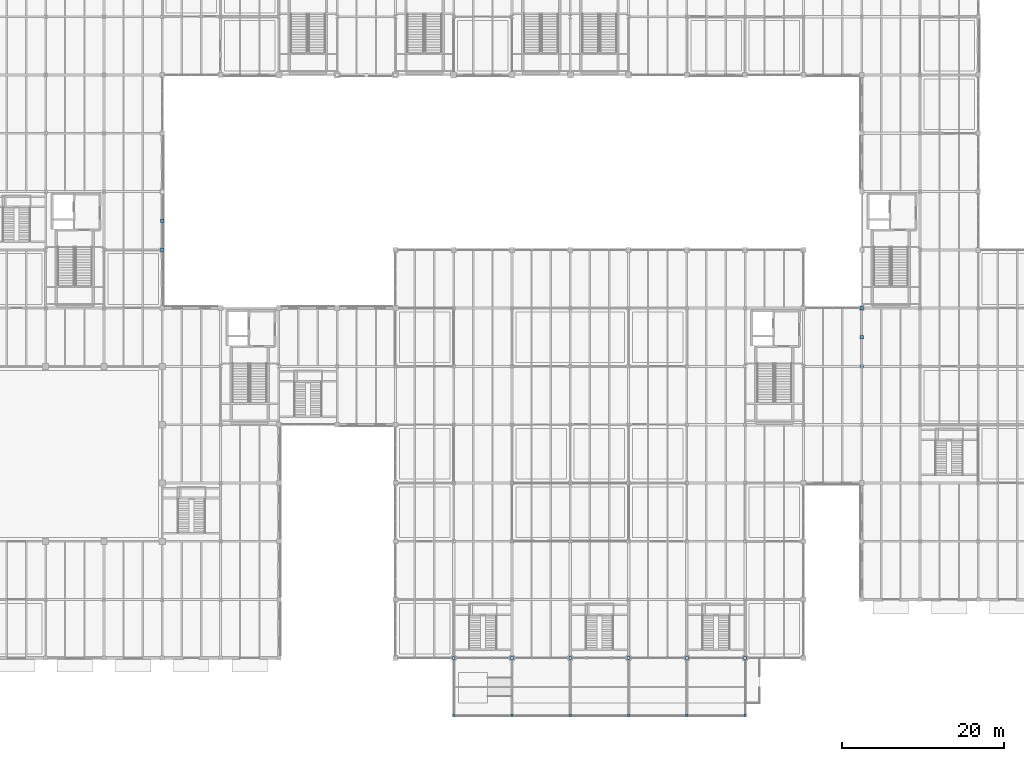
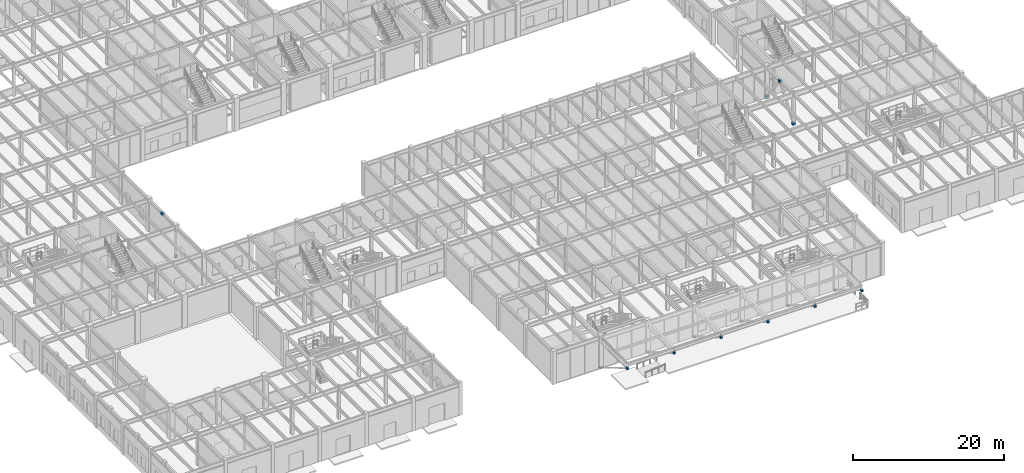
# One storey, part 31 of 97: 17 plates.
"""IFC4 building model written with IfcOpenShell, lengths in metres."""

from ifc_helpers import new_model, si_unit, direction, frame, origin, origin_2d, place, context, subcontext, project, spatial, rectangle, extrude, material, type_object, element, save


model = new_model("IFC4")

# Units and contexts
model_context = context("Model", 3, precision=1e-05, world=origin(), true_north=direction((0.0, 1.0)))
body_context = subcontext(model_context, "Body", "Model", "MODEL_VIEW")
ifc_project = project(units=[si_unit("LENGTHUNIT", "METRE"), si_unit("AREAUNIT", "SQUARE_METRE"), si_unit("VOLUMEUNIT", "CUBIC_METRE"), si_unit("PLANEANGLEUNIT", "RADIAN"), si_unit("MASSUNIT", "GRAM", prefix="KILO")], contexts=[model_context])

# Site, building, storey
site_placement = place(None, origin())
site = spatial("IfcSite", under=ifc_project, at=site_placement, CompositionType="ELEMENT")
building_placement = place(site_placement, origin())
building = spatial("IfcBuilding", under=site, at=building_placement, Name="Sillqori Civic Hall", CompositionType="ELEMENT")
storey_placement = place(building_placement, origin())
storey = spatial("IfcBuildingStorey", under=building, at=storey_placement, Name="L01", CompositionType="ELEMENT", Elevation=0.0)

# Plates
ifc_material_1 = material(Name="Steel ASTM A572 Grade 50", Category="steel")
plate_type_1 = type_object("IfcPlateType", Name="PLT-BASE-32", PredefinedType="SHEET", material=ifc_material_1)
for number, where, z_axis, x_axis, name in (
    (1, (72.0, 7.199951171875, 0.0), (0.0, 0.0, 1.0), (1.0, 0.0, 0.0), "Entrance canopy strut base plate 10"),
    (2, (79.199951171875, 7.199951171875, 0.0), (0.0, 0.0, 1.0), (1.0, 0.0, 0.0), "Entrance canopy strut base plate 11"),
    (3, (86.39990234375, 7.199951171875, 0.0), (0.0, 0.0, 1.0), (1.0, 0.0, 0.0), "Entrance canopy strut base plate 12"),
    (4, (93.60009765625, 7.199951171875, 0.0), (0.0, 0.0, 1.0), (1.0, 0.0, 0.0), "Entrance canopy strut base plate 13"),
    (5, (100.800048828125, 7.199951171875, 0.0), (0.0, 0.0, 1.0), (1.0, 0.0, 0.0), "Entrance canopy strut base plate 14"),
    (6, (108.0, 7.199951171875, 0.0), (0.0, 0.0, 1.0), (1.0, 0.0, 0.0), "Entrance canopy strut base plate 15"),
):
    element("IfcPlate", number, at=place(storey_placement, frame(where, z_axis=z_axis, x_axis=x_axis)), inside=storey, type_object=plate_type_1, Name=name, PredefinedType="SHEET", context=body_context, shape_type="SweptSolid", body=[
        extrude(rectangle(XDim=0.360107421875, YDim=0.360107421875, at=origin_2d()), origin(), (0.0, 0.0, 1.0), 0.10009765625),
    ])
ifc_material_2 = material(Name="Steel ASTM A36", Category="steel")
plate_type_2 = type_object("IfcPlateType", Name="PLT-GUSSET-20", PredefinedType="SHEET", material=ifc_material_2)
for number, where, z_axis, x_axis, name in (
    (7, (36.0, 61.199951171875, 4.7197265625), (0.0, 0.0, 1.0), (1.0, 0.0, 0.0), "L01 chevron brace node plate APX"),
    (8, (36.0, 57.60009765625, -0.0302734375), (0.0, 0.0, 1.0), (1.0, 0.0, 0.0), "L01 chevron brace node plate BSL"),
    (9, (122.39990234375, 46.800048828125, 4.7197265625), (0.0, 0.0, 1.0), (1.0, 0.0, 0.0), "L01 chevron brace node plate APX"),
    (10, (122.39990234375, 43.199951171875, -0.0302734375), (0.0, 0.0, 1.0), (1.0, 0.0, 0.0), "L01 chevron brace node plate BSL"),
    (11, (122.39990234375, 50.39990234375, -0.0302734375), (0.0, 0.0, 1.0), (1.0, 0.0, 0.0), "L01 chevron brace node plate BSR"),
):
    element("IfcPlate", number, at=place(storey_placement, frame(where, z_axis=z_axis, x_axis=x_axis)), inside=storey, type_object=plate_type_2, Name=name, PredefinedType="SHEET", context=body_context, shape_type="SweptSolid", body=[
        extrude(rectangle(XDim=0.419921875, YDim=0.419921875, at=origin_2d()), origin(), (0.0, 0.0, 1.0), 0.360107421875),
    ])
plate_type_3 = type_object("IfcPlateType", Name="PLT-NODE-300", PredefinedType="SHEET", material=ifc_material_2)
for number, where, z_axis, x_axis, name in (
    (12, (72.0, 0.1201171875, 4.06396484375), (0.0, 0.0, 1.0), (1.0, 0.0, 0.0), "Entrance canopy strut node cap plate 10"),
    (13, (79.199951171875, 0.1201171875, 4.06396484375), (0.0, 0.0, 1.0), (1.0, 0.0, 0.0), "Entrance canopy strut node cap plate 11"),
    (14, (86.39990234375, 0.1201171875, 4.06396484375), (0.0, 0.0, 1.0), (1.0, 0.0, 0.0), "Entrance canopy strut node cap plate 12"),
    (15, (93.60009765625, 0.1201171875, 4.06396484375), (0.0, 0.0, 1.0), (1.0, 0.0, 0.0), "Entrance canopy strut node cap plate 13"),
    (16, (100.800048828125, 0.1201171875, 4.06396484375), (0.0, 0.0, 1.0), (1.0, 0.0, 0.0), "Entrance canopy strut node cap plate 14"),
    (17, (108.0, 0.1201171875, 4.06396484375), (0.0, 0.0, 1.0), (1.0, 0.0, 0.0), "Entrance canopy strut node cap plate 15"),
):
    element("IfcPlate", number, at=place(storey_placement, frame(where, z_axis=z_axis, x_axis=x_axis)), inside=storey, type_object=plate_type_3, Name=name, PredefinedType="SHEET", context=body_context, shape_type="SweptSolid", body=[
        extrude(rectangle(XDim=0.300048828125, YDim=0.340087890625, at=origin_2d()), origin(), (0.0, 0.0, 1.0), 0.300048828125),
    ])

save(model, "model.ifc")
